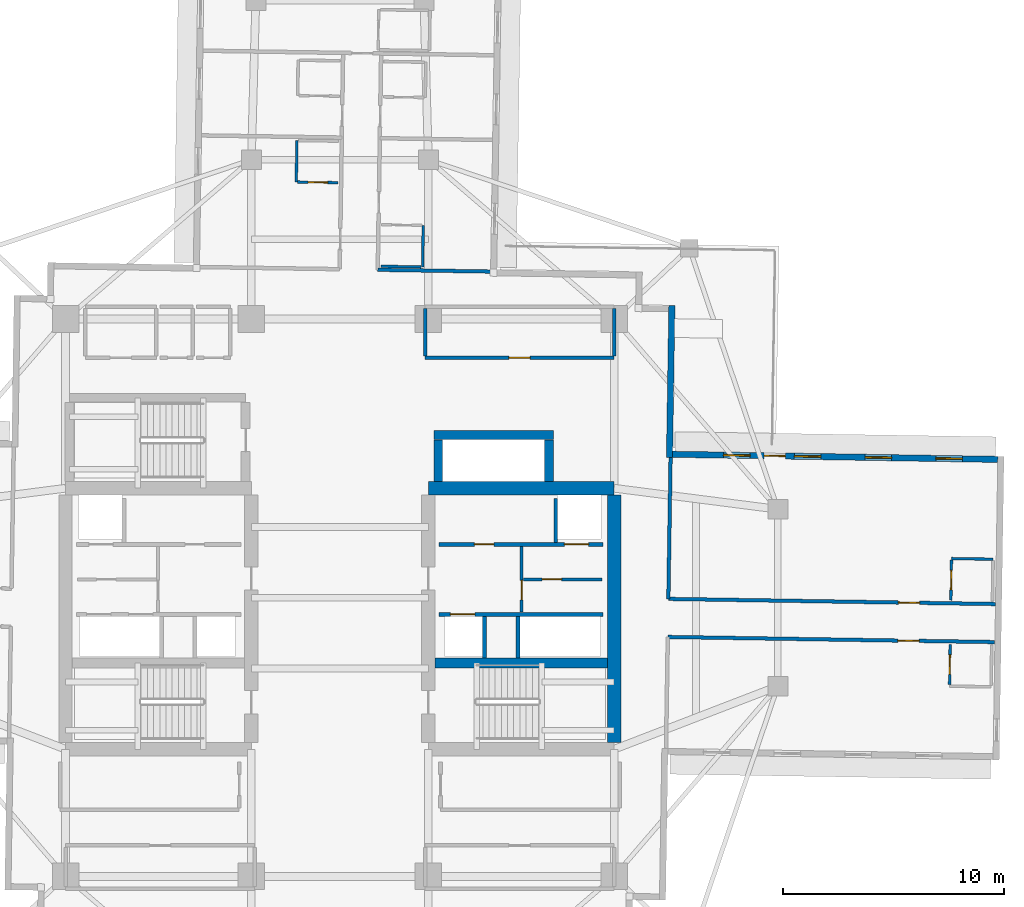
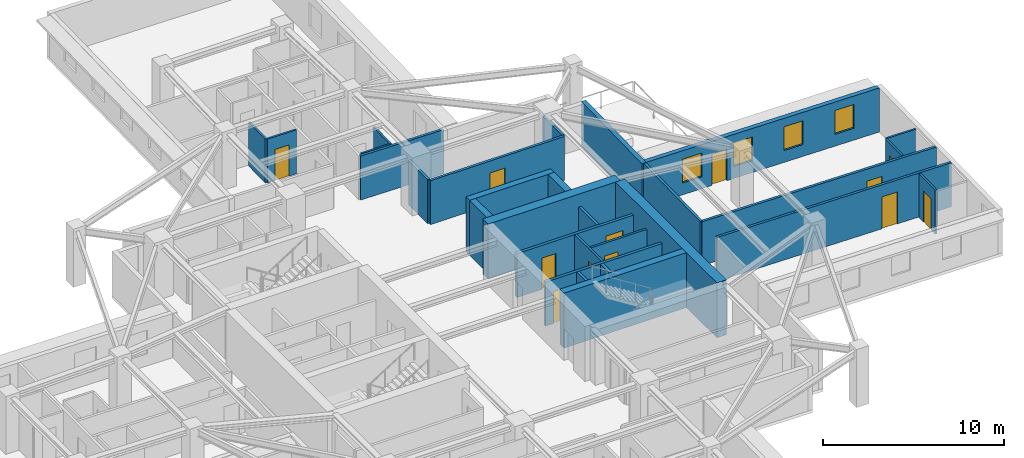
# One storey, part 6 of 13: 29 walls, 12 doors, 4 windows, 16 openings.
"""IFC4 building model written with IfcOpenShell, lengths in metres."""

from ifc_helpers import new_model, si_unit, direction, frame, frame_2d, origin, place, context, subcontext, project, spatial, rectangle, extrude, material, layer, layer_set, type_object, element, fill, save


model = new_model("IFC4")

# Units and contexts
model_context = context("Model", 3, precision=1e-05, world=origin(), true_north=direction((0.0, 1.0)))
body_context = subcontext(model_context, "Body", "Model", "MODEL_VIEW")
ifc_project = project(units=[si_unit("LENGTHUNIT", "METRE"), si_unit("AREAUNIT", "SQUARE_METRE"), si_unit("VOLUMEUNIT", "CUBIC_METRE"), si_unit("PLANEANGLEUNIT", "RADIAN"), si_unit("MASSUNIT", "GRAM", prefix="KILO")], contexts=[model_context])

# Site, building, storey
site_placement = place(None, origin())
site = spatial("IfcSite", under=ifc_project, at=site_placement, CompositionType="ELEMENT")
building_placement = place(site_placement, origin())
building = spatial("IfcBuilding", under=site, at=building_placement, Name="Qingluan Cross Belvedere", CompositionType="ELEMENT")
storey_placement = place(building_placement, frame((0.0, 0.0, 180.0)))
storey = spatial("IfcBuildingStorey", under=building, at=storey_placement, Name="L45", CompositionType="ELEMENT", Elevation=180.0)

# Walls
ifc_material_1 = material(Name="Concrete C50", Category="concrete")
ifc_layer_1 = layer(ifc_material_1, 0.449951171875, Name="CoreShearWall_450")
ifc_layer_set_1 = layer_set([ifc_layer_1], Name="Concrete C50")
wall_type_1 = type_object("IfcWallType", Name="CoreShearWall_450", PredefinedType="SHEAR", material=ifc_layer_set_1)
wall_1_placement = place(storey_placement, frame((4.304931640625, -2.9599609375, 0.0), z_axis=(0.0, 0.0, 1.0), x_axis=(1.0, 0.0, 0.0)))
element("IfcWall", 1, at=wall_1_placement, inside=storey, type_object=wall_type_1, Name="Split core E shear wall L45-M", PredefinedType="SHEAR", context=body_context, shape_type="SweptSolid", body=[
    extrude(rectangle(XDim=7.7900390625, YDim=0.449951171875, at=frame_2d((3.89501953125, 0.0))), origin(), (0.0, 0.0, 1.0), 3.699951171875),
])
wall_2_placement = place(storey_placement, frame((4.449951171875, 5.2548828125, 0.0), z_axis=(0.0, 0.0, 1.0), x_axis=(0.0, 1.0, 0.0)))
element("IfcWall", 2, at=wall_2_placement, inside=storey, type_object=wall_type_1, Name="Express shuttle core wall L45-W", PredefinedType="SHEAR", context=body_context, shape_type="SweptSolid", body=[
    extrude(rectangle(XDim=1.885009765625, YDim=0.39990234375, at=frame_2d((0.9423828125, 0.0))), origin(), (0.0, 0.0, 1.0), 3.699951171875),
])
wall_3_placement = place(storey_placement, frame((4.25, 7.35009765625, 0.0), z_axis=(0.0, 0.0, 1.0), x_axis=(1.0, 0.0, 0.0)))
element("IfcWall", 3, at=wall_3_placement, inside=storey, type_object=wall_type_1, Name="Express shuttle core wall L45-N", PredefinedType="SHEAR", context=body_context, shape_type="SweptSolid", body=[
    extrude(rectangle(XDim=5.39990234375, YDim=0.39990234375, at=frame_2d((2.699951171875, 0.0))), origin(), (0.0, 0.0, 1.0), 3.699951171875),
])
wall_4_placement = place(storey_placement, frame((9.449951171875, 5.2548828125, 0.0), z_axis=(0.0, 0.0, 1.0), x_axis=(0.0, 1.0, 0.0)))
element("IfcWall", 4, at=wall_4_placement, inside=storey, type_object=wall_type_1, Name="Express shuttle core wall L45-E", PredefinedType="SHEAR", context=body_context, shape_type="SweptSolid", body=[
    extrude(rectangle(XDim=1.885009765625, YDim=0.39990234375, at=frame_2d((0.9423828125, 0.0))), origin(), (0.0, 0.0, 1.0), 3.699951171875),
])
ifc_material_2 = material(Name="Concrete C60", Category="concrete")
ifc_layer_2 = layer(ifc_material_2, 0.60009765625, Name="CoreShearWall_600")
ifc_layer_set_2 = layer_set([ifc_layer_2], Name="Concrete C60")
wall_type_2 = type_object("IfcWallType", Name="CoreShearWall_600", PredefinedType="SHEAR", material=ifc_layer_set_2)
wall_5_placement = place(storey_placement, frame((4.0, 4.949951171875, 0.0), z_axis=(0.0, 0.0, 1.0), x_axis=(1.0, 0.0, 0.0)))
element("IfcWall", 5, at=wall_5_placement, inside=storey, type_object=wall_type_2, Name="Split core E shear wall L45-N", PredefinedType="SHEAR", context=body_context, shape_type="SweptSolid", body=[
    extrude(rectangle(XDim=8.39990234375, YDim=0.60009765625, at=frame_2d((4.199951171875, 0.0))), origin(), (0.0, 0.0, 1.0), 3.699951171875),
])
wall_6_placement = place(storey_placement, frame((12.39990234375, -6.544921875, 0.0), z_axis=(0.0, 0.0, 1.0), x_axis=(0.0, 1.0, 0.0)))
element("IfcWall", 6, at=wall_6_placement, inside=storey, type_object=wall_type_2, Name="Split core E shear wall L45-E", PredefinedType="SHEAR", context=body_context, shape_type="SweptSolid", body=[
    extrude(rectangle(XDim=11.18994140625, YDim=0.60009765625, at=frame_2d((5.594970703125, 0.0))), origin(), (0.0, 0.0, 1.0), 3.699951171875),
])

# Wall, opening, door
ifc_material_3 = material(Name="Gypsum plasterboard on steel stud acoustic partition", Category="steel")
ifc_layer_3 = layer(ifc_material_3, 0.159912109375, Name="CorridorPartition_160")
ifc_layer_set_3 = layer_set([ifc_layer_3], Name="Gypsum plasterboard on steel stud acoustic partition")
wall_type_3 = type_object("IfcWallType", Name="CorridorPartition_160", PredefinedType="PARTITIONING", material=ifc_layer_set_3)
wall_7_placement = place(storey_placement, frame((8.298095703125, 0.830078125, 0.0), z_axis=(0.0, 0.0, 1.0), x_axis=(1.0, 0.0, 0.0)))
wall_7 = element("IfcWall", 7, at=wall_7_placement, inside=storey, type_object=wall_type_3, Name="Partition L45:e", PredefinedType="PARTITIONING", context=body_context, shape_type="SweptSolid", body=[
    extrude(rectangle(XDim=3.552001953125, YDim=0.139892578125, at=frame_2d((1.77587890625, 0.0))), origin(), (0.0, 0.0, 1.0), 2.9599609375),
])
opening_1_placement = place(wall_7_placement, frame((0.85009765625, 0.0, 0.0)))
opening_1 = element("IfcOpeningElement", 8, at=opening_1_placement, cuts=wall_7, Name="Opening FD-B10", PredefinedType="OPENING", context=body_context, shape_type="SweptSolid", body=[
    extrude(rectangle(XDim=0.8798828125, YDim=2.10009765625, at=frame_2d((0.43994140625, 1.050048828125))), frame((0.0, 0.079833984375, 0.0), z_axis=(0.0, -1.0, 0.0), x_axis=(1.0, 0.0, 0.0)), (0.0, 0.0, 1.0), 0.159912109375),
])
ifc_material_4 = material(Name="Steel Class B service fire door", Category="steel")
door_type_1 = type_object("IfcDoorType", Name="RiserServiceFireDoor_FDB", OperationType="NOTDEFINED", PredefinedType="DOOR", material=ifc_material_4)
door_1_placement = place(opening_1_placement, origin())
door_1 = element("IfcDoor", 9, at=door_1_placement, inside=storey, type_object=door_type_1, Name="Service closet inner door L45", OperationType="SINGLE_SWING_LEFT", OverallHeight=2.10009765625, OverallWidth=0.8798828125, PredefinedType="DOOR", context=body_context, shape_type="SweptSolid", body=[
    extrude(rectangle(XDim=0.8798828125, YDim=2.10009765625, at=frame_2d((0.43994140625, 1.050048828125))), frame((0.0, 0.02490234375, 0.0), z_axis=(0.0, -1.0, 0.0), x_axis=(1.0, 0.0, 0.0)), (0.0, 0.0, 1.0), 0.050048828125),
])
fill(opening_1, door_1)

wall_8_placement = place(storey_placement, frame((3.85009765625, 10.85009765625, 0.0), z_axis=(0.0, 0.0, 1.0), x_axis=(1.0, 0.0, 0.0)))
wall_8 = element("IfcWall", 10, at=wall_8_placement, inside=storey, type_object=wall_type_3, Name="Partition L45:q_ne:S", PredefinedType="PARTITIONING", context=body_context, shape_type="SweptSolid", body=[
    extrude(rectangle(XDim=8.5498046875, YDim=0.159912109375, at=frame_2d((4.27490234375, 0.0))), origin(), (0.0, 0.0, 1.0), 2.9599609375),
])
opening_2_placement = place(wall_8_placement, frame((3.794921875, 0.0, 0.0)))
opening_2 = element("IfcOpeningElement", 11, at=opening_2_placement, cuts=wall_8, Name="Opening GD-10", PredefinedType="OPENING", context=body_context, shape_type="SweptSolid", body=[
    extrude(rectangle(XDim=0.9599609375, YDim=2.14990234375, at=frame_2d((0.47998046875, 1.074951171875))), frame((0.0, 0.08984375, 0.0), z_axis=(0.0, -1.0, 0.0), x_axis=(1.0, 0.0, 0.0)), (0.0, 0.0, 1.0), 0.179931640625),
])
ifc_material_5 = material(Name="Timber oak fire-rated acoustic guestroom door", Category="wood")
door_type_2 = type_object("IfcDoorType", Name="GuestEntryDoor_FD60", OperationType="NOTDEFINED", PredefinedType="DOOR", material=ifc_material_5)
door_2_placement = place(opening_2_placement, origin())
door_2 = element("IfcDoor", 12, at=door_2_placement, inside=storey, type_object=door_type_2, Name="VIP diplomatic boardroom L45 door", OperationType="SINGLE_SWING_LEFT", OverallHeight=2.14990234375, OverallWidth=0.9599609375, PredefinedType="DOOR", context=body_context, shape_type="SweptSolid", body=[
    extrude(rectangle(XDim=0.9599609375, YDim=2.14990234375, at=frame_2d((0.47998046875, 1.074951171875))), frame((0.0, 0.02490234375, 0.0), z_axis=(0.0, -1.0, 0.0), x_axis=(1.0, 0.0, 0.0)), (0.0, 0.0, 1.0), 0.050048828125),
])
fill(opening_2, door_2)

# Walls
for number, where, z_axis, x_axis, name in (
    (13, (3.85009765625, 10.93505859375, 0.0), (0.0, 0.0, 1.0), (0.0, 1.0, 0.0), "Partition L45:q_ne:W"),
    (14, (12.39990234375, 10.93505859375, 0.0), (0.0, 0.0, 1.0), (0.0, 1.0, 0.0), "Partition L45:q_ne:E"),
):
    element("IfcWall", number, at=place(storey_placement, frame(where, z_axis=z_axis, x_axis=x_axis)), inside=storey, type_object=wall_type_3, Name=name, PredefinedType="PARTITIONING", context=body_context, shape_type="SweptSolid", body=[
        extrude(rectangle(XDim=2.1298828125, YDim=0.159912109375, at=frame_2d((1.06494140625, 0.0))), origin(), (0.0, 0.0, 1.0), 2.9599609375),
    ])

# Wall, opening, door
wall_9_placement = place(storey_placement, frame((14.85107421875, -0.05322265625, 0.0), z_axis=(0.0, 0.0, 1.0), x_axis=(0.999876638346, -0.015706944004, 0.0)))
wall_9 = element("IfcWall", 15, at=wall_9_placement, inside=storey, type_object=wall_type_3, Name="Partition L45:E:c0", PredefinedType="PARTITIONING", context=body_context, shape_type="SweptSolid", body=[
    extrude(rectangle(XDim=14.78173828125, YDim=0.159912109375, at=frame_2d((7.390869140625, 0.0))), origin(), (0.0, 0.0, 1.0), 2.9599609375),
])
opening_3_placement = place(wall_9_placement, frame((10.404052734375, 0.0, 0.0)))
opening_3 = element("IfcOpeningElement", 16, at=opening_3_placement, cuts=wall_9, Name="Opening GD-10", PredefinedType="OPENING", context=body_context, shape_type="SweptSolid", body=[
    extrude(rectangle(XDim=0.9599609375, YDim=2.14990234375, at=frame_2d((0.47998046875, 1.074951171875))), frame((0.0, 0.08984375, 0.0), z_axis=(0.0, -1.0, 0.0), x_axis=(1.0, 0.0, 0.0)), (0.0, 0.0, 1.0), 0.179931640625),
])
door_3_placement = place(opening_3_placement, origin())
door_3 = element("IfcDoor", 17, at=door_3_placement, inside=storey, type_object=door_type_2, Name="Guest entry fire door 4501", OperationType="SINGLE_SWING_RIGHT", OverallHeight=2.14990234375, OverallWidth=0.9599609375, PredefinedType="DOOR", context=body_context, shape_type="SweptSolid", body=[
    extrude(rectangle(XDim=0.9599609375, YDim=2.14990234375, at=frame_2d((0.47998046875, 1.074951171875))), frame((0.0, 0.02490234375, 0.0), z_axis=(0.0, -1.0, 0.0), x_axis=(1.0, 0.0, 0.0)), (0.0, 0.0, 1.0), 0.050048828125),
])
fill(opening_3, door_3)

# Wall
wall_10_placement = place(storey_placement, frame((14.85107421875, -0.05322265625, 0.0), z_axis=(0.0, 0.0, 1.0), x_axis=(0.015698271615, 0.999876774542, 0.0)))
element("IfcWall", 18, at=wall_10_placement, inside=storey, type_object=wall_type_3, Name="Partition L45:E:s0", PredefinedType="PARTITIONING", context=body_context, shape_type="SweptSolid", body=[
    extrude(rectangle(XDim=6.391845703125, YDim=0.159912109375, at=frame_2d((3.19580078125, 0.0))), origin(), (0.0, 0.0, 1.0), 2.9599609375),
])

# Wall, opening, door
wall_11_placement = place(storey_placement, frame((14.823974609375, -1.773193359375, 0.0), z_axis=(0.0, 0.0, 1.0), x_axis=(0.999876642421, -0.015706684621, 0.0)))
wall_11 = element("IfcWall", 19, at=wall_11_placement, inside=storey, type_object=wall_type_3, Name="Partition L45:E:c1", PredefinedType="PARTITIONING", context=body_context, shape_type="SweptSolid", body=[
    extrude(rectangle(XDim=14.781982421875, YDim=0.159912109375, at=frame_2d((7.39111328125, 0.0))), origin(), (0.0, 0.0, 1.0), 2.9599609375),
])
opening_4_placement = place(wall_11_placement, frame((10.404052734375, 0.0, 0.0)))
opening_4 = element("IfcOpeningElement", 20, at=opening_4_placement, cuts=wall_11, Name="Opening GD-10", PredefinedType="OPENING", context=body_context, shape_type="SweptSolid", body=[
    extrude(rectangle(XDim=0.9599609375, YDim=2.14990234375, at=frame_2d((0.47998046875, 1.074951171875))), frame((0.0, 0.08984375, 0.0), z_axis=(0.0, -1.0, 0.0), x_axis=(1.0, 0.0, 0.0)), (0.0, 0.0, 1.0), 0.179931640625),
])
door_4_placement = place(opening_4_placement, origin())
door_4 = element("IfcDoor", 21, at=door_4_placement, inside=storey, type_object=door_type_2, Name="Guest entry fire door 4502", OperationType="SINGLE_SWING_RIGHT", OverallHeight=2.14990234375, OverallWidth=0.9599609375, PredefinedType="DOOR", context=body_context, shape_type="SweptSolid", body=[
    extrude(rectangle(XDim=0.9599609375, YDim=2.14990234375, at=frame_2d((0.47998046875, 1.074951171875))), frame((0.0, 0.02490234375, 0.0), z_axis=(0.0, -1.0, 0.0), x_axis=(1.0, 0.0, 0.0)), (0.0, 0.0, 1.0), 0.050048828125),
])
fill(opening_4, door_4)

# Wall
wall_12_placement = place(storey_placement, frame((1.713134765625, 14.824951171875, 0.0), z_axis=(0.0, 0.0, 1.0), x_axis=(0.99987672073, -0.015701698737, 0.0)))
element("IfcWall", 22, at=wall_12_placement, inside=storey, type_object=wall_type_3, Name="Partition L45:N:s0", PredefinedType="PARTITIONING", context=body_context, shape_type="SweptSolid", body=[
    extrude(rectangle(XDim=5.239990234375, YDim=0.159912109375, at=frame_2d((2.6201171875, 0.0))), origin(), (0.0, 0.0, 1.0), 2.9599609375),
])

# Wall, opening, door
ifc_material_6 = material(Name="Moisture-resistant gypsum board lining")
ifc_layer_4 = layer(ifc_material_6, 0.1201171875, Name="EnsuiteWetPartition_120")
ifc_layer_set_4 = layer_set([ifc_layer_4], Name="Moisture-resistant gypsum board lining")
wall_type_4 = type_object("IfcWallType", Name="EnsuiteWetPartition_120", PredefinedType="PARTITIONING", material=ifc_layer_set_4)
wall_13_placement = place(storey_placement, frame((27.62158203125, -0.114013671875, 0.0), z_axis=(0.0, 0.0, 1.0), x_axis=(0.015694337248, 0.999876836305, 0.0)))
wall_13 = element("IfcWall", 23, at=wall_13_placement, inside=storey, type_object=wall_type_4, Name="Partition L45:E:bs0_0", PredefinedType="PARTITIONING", context=body_context, shape_type="SweptSolid", body=[
    extrude(rectangle(XDim=1.820068359375, YDim=0.1201171875, at=frame_2d((0.91015625, 0.0))), origin(), (0.0, 0.0, 1.0), 2.9599609375),
])
opening_5_placement = place(wall_13_placement, frame((0.469970703125, 0.0, 0.0)))
opening_5 = element("IfcOpeningElement", 24, at=opening_5_placement, cuts=wall_13, Name="Opening BD-09", PredefinedType="OPENING", context=body_context, shape_type="SweptSolid", body=[
    extrude(rectangle(XDim=0.8798828125, YDim=2.10009765625, at=frame_2d((0.43994140625, 1.050048828125))), frame((0.0, 0.070068359375, 0.0), z_axis=(0.0, -1.0, 0.0), x_axis=(1.0, 0.0, 0.0)), (0.0, 0.0, 1.0), 0.14013671875),
])
ifc_material_7 = material(Name="Moisture-sealed timber en-suite door", Category="wood")
door_type_3 = type_object("IfcDoorType", Name="BathroomDoor_880", OperationType="NOTDEFINED", PredefinedType="DOOR", material=ifc_material_7)
door_5_placement = place(opening_5_placement, origin())
door_5 = element("IfcDoor", 25, at=door_5_placement, inside=storey, type_object=door_type_3, Name="Bathroom door 4501", OperationType="SINGLE_SWING_LEFT", OverallHeight=2.10009765625, OverallWidth=0.8798828125, PredefinedType="DOOR", context=body_context, shape_type="SweptSolid", body=[
    extrude(rectangle(XDim=0.8798828125, YDim=2.10009765625, at=frame_2d((0.43994140625, 1.050048828125))), frame((0.0, 0.02490234375, 0.0), z_axis=(0.0, -1.0, 0.0), x_axis=(1.0, 0.0, 0.0)), (0.0, 0.0, 1.0), 0.050048828125),
])
fill(opening_5, door_5)

# Wall
wall_14_placement = place(storey_placement, frame((27.651123046875, 1.77099609375, 0.0), z_axis=(0.0, 0.0, 1.0), x_axis=(0.999876553475, -0.01571234584, 0.0)))
element("IfcWall", 26, at=wall_14_placement, inside=storey, type_object=wall_type_4, Name="Partition L45:E:bn0_0", PredefinedType="PARTITIONING", context=body_context, shape_type="SweptSolid", body=[
    extrude(rectangle(XDim=1.880126953125, YDim=0.1201171875, at=frame_2d((0.93994140625, 0.0))), origin(), (0.0, 0.0, 1.0), 2.9599609375),
])

# Wall, opening, door
wall_15_placement = place(storey_placement, frame((27.5615234375, -3.933349609375, 0.0), z_axis=(0.0, 0.0, 1.0), x_axis=(0.015694337248, 0.999876836305, 0.0)))
wall_15 = element("IfcWall", 27, at=wall_15_placement, inside=storey, type_object=wall_type_4, Name="Partition L45:E:bs1_0", PredefinedType="PARTITIONING", context=body_context, shape_type="SweptSolid", body=[
    extrude(rectangle(XDim=1.820068359375, YDim=0.1201171875, at=frame_2d((0.91015625, 0.0))), origin(), (0.0, 0.0, 1.0), 2.9599609375),
])
opening_6_placement = place(wall_15_placement, frame((0.469970703125, 0.0, 0.0)))
opening_6 = element("IfcOpeningElement", 28, at=opening_6_placement, cuts=wall_15, Name="Opening BD-09", PredefinedType="OPENING", context=body_context, shape_type="SweptSolid", body=[
    extrude(rectangle(XDim=0.8798828125, YDim=2.10009765625, at=frame_2d((0.43994140625, 1.050048828125))), frame((0.0, 0.070068359375, 0.0), z_axis=(0.0, -1.0, 0.0), x_axis=(1.0, 0.0, 0.0)), (0.0, 0.0, 1.0), 0.14013671875),
])
door_6_placement = place(opening_6_placement, origin())
door_6 = element("IfcDoor", 29, at=door_6_placement, inside=storey, type_object=door_type_3, Name="Bathroom door 4502", OperationType="SINGLE_SWING_LEFT", OverallHeight=2.10009765625, OverallWidth=0.8798828125, PredefinedType="DOOR", context=body_context, shape_type="SweptSolid", body=[
    extrude(rectangle(XDim=0.8798828125, YDim=2.10009765625, at=frame_2d((0.43994140625, 1.050048828125))), frame((0.0, 0.02490234375, 0.0), z_axis=(0.0, -1.0, 0.0), x_axis=(1.0, 0.0, 0.0)), (0.0, 0.0, 1.0), 0.050048828125),
])
fill(opening_6, door_6)

# Walls
wall_16_placement = place(storey_placement, frame((1.855712890625, 14.982666015625, 0.0), z_axis=(0.0, 0.0, 1.0), x_axis=(0.999876803258, -0.015696442504, 0.0)))
element("IfcWall", 30, at=wall_16_placement, inside=storey, type_object=wall_type_4, Name="Partition L45:N:bw0_0", PredefinedType="PARTITIONING", context=body_context, shape_type="SweptSolid", body=[
    extrude(rectangle(XDim=1.81982421875, YDim=0.1201171875, at=frame_2d((0.909912109375, 0.0))), origin(), (0.0, 0.0, 1.0), 2.9599609375),
])
wall_17_placement = place(storey_placement, frame((3.740234375, 14.953125, 0.0), z_axis=(0.0, 0.0, 1.0), x_axis=(0.015842167482, 0.99987450499, 0.0)))
element("IfcWall", 31, at=wall_17_placement, inside=storey, type_object=wall_type_4, Name="Partition L45:N:bn0_0", PredefinedType="PARTITIONING", context=body_context, shape_type="SweptSolid", body=[
    extrude(rectangle(XDim=1.880126953125, YDim=0.1201171875, at=frame_2d((0.93994140625, 0.0))), origin(), (0.0, 0.0, 1.0), 2.9599609375),
])

# Wall, opening, door
wall_18_placement = place(storey_placement, frame((-1.905029296875, 18.792236328125, 0.0), z_axis=(0.0, 0.0, 1.0), x_axis=(0.999876836305, -0.015694337248, 0.0)))
wall_18 = element("IfcWall", 32, at=wall_18_placement, inside=storey, type_object=wall_type_4, Name="Partition L45:N:bs1_0", PredefinedType="PARTITIONING", context=body_context, shape_type="SweptSolid", body=[
    extrude(rectangle(XDim=1.820068359375, YDim=0.1201171875, at=frame_2d((0.91015625, 0.0))), origin(), (0.0, 0.0, 1.0), 2.9599609375),
])
opening_7_placement = place(wall_18_placement, frame((0.469970703125, 0.0, 0.0)))
opening_7 = element("IfcOpeningElement", 33, at=opening_7_placement, cuts=wall_18, Name="Opening BD-09", PredefinedType="OPENING", context=body_context, shape_type="SweptSolid", body=[
    extrude(rectangle(XDim=0.8798828125, YDim=2.10009765625, at=frame_2d((0.43994140625, 1.050048828125))), frame((0.0, 0.070068359375, 0.0), z_axis=(0.0, -1.0, 0.0), x_axis=(1.0, 0.0, 0.0)), (0.0, 0.0, 1.0), 0.14013671875),
])
door_7_placement = place(opening_7_placement, origin())
door_7 = element("IfcDoor", 34, at=door_7_placement, inside=storey, type_object=door_type_3, Name="Bathroom door 4507", OperationType="SINGLE_SWING_LEFT", OverallHeight=2.10009765625, OverallWidth=0.8798828125, PredefinedType="DOOR", context=body_context, shape_type="SweptSolid", body=[
    extrude(rectangle(XDim=0.8798828125, YDim=2.10009765625, at=frame_2d((0.43994140625, 1.050048828125))), frame((0.0, 0.02490234375, 0.0), z_axis=(0.0, -1.0, 0.0), x_axis=(1.0, 0.0, 0.0)), (0.0, 0.0, 1.0), 0.050048828125),
])
fill(opening_7, door_7)

# Wall
wall_19_placement = place(storey_placement, frame((-1.97021484375, 18.793212890625, 0.0), z_axis=(0.0, 0.0, 1.0), x_axis=(0.015842167482, 0.99987450499, 0.0)))
element("IfcWall", 35, at=wall_19_placement, inside=storey, type_object=wall_type_4, Name="Partition L45:N:bc1_0", PredefinedType="PARTITIONING", context=body_context, shape_type="SweptSolid", body=[
    extrude(rectangle(XDim=1.880126953125, YDim=0.1201171875, at=frame_2d((0.93994140625, 0.0))), origin(), (0.0, 0.0, 1.0), 2.9599609375),
])

# Wall, openings, windows, door
ifc_material_8 = material(Name="Precast concrete C45", Category="concrete")
ifc_layer_5 = layer(ifc_material_8, 0.280029296875, Name="PrecastFacadeWall_280")
ifc_layer_set_5 = layer_set([ifc_layer_5], Name="Precast concrete C45")
wall_type_5 = type_object("IfcWallType", Name="PrecastFacadeWall_280", PredefinedType="STANDARD", material=ifc_layer_set_5)
wall_20_placement = place(storey_placement, frame((29.741943359375, 6.253662109375, 0.0), z_axis=(0.0, 0.0, 1.0), x_axis=(-0.999876569875, 0.015711302158, 0.0)))
wall_20 = element("IfcWall", 36, at=wall_20_placement, inside=storey, type_object=wall_type_5, Name="Facade wall L45-EB", PredefinedType="STANDARD", context=body_context, shape_type="SweptSolid", body=[
    extrude(rectangle(XDim=14.699951171875, YDim=0.280029296875, at=frame_2d((7.35009765625, 0.0))), origin(), (0.0, 0.0, 1.0), 2.969970703125),
])
opening_8_placement = place(wall_20_placement, frame((1.60009765625, 0.0, 0.800048828125)))
opening_8 = element("IfcOpeningElement", 37, at=opening_8_placement, cuts=wall_20, Name="Opening W-02", PredefinedType="OPENING", context=body_context, shape_type="SweptSolid", body=[
    extrude(rectangle(XDim=1.199951171875, YDim=1.60009765625, at=frame_2d((0.60009765625, 0.800048828125))), frame((0.0, 0.14990234375, 0.0), z_axis=(0.0, -1.0, 0.0), x_axis=(1.0, 0.0, 0.0)), (0.0, 0.0, 1.0), 0.300048828125),
])
opening_9_placement = place(wall_20_placement, frame((4.800048828125, 0.0, 0.800048828125)))
opening_9 = element("IfcOpeningElement", 38, at=opening_9_placement, cuts=wall_20, Name="Opening W-02", PredefinedType="OPENING", context=body_context, shape_type="SweptSolid", body=[
    extrude(rectangle(XDim=1.199951171875, YDim=1.60009765625, at=frame_2d((0.60009765625, 0.800048828125))), frame((0.0, 0.14990234375, 0.0), z_axis=(0.0, -1.0, 0.0), x_axis=(1.0, 0.0, 0.0)), (0.0, 0.0, 1.0), 0.300048828125),
])
opening_10_placement = place(wall_20_placement, frame((8.0, 0.0, 0.800048828125)))
opening_10 = element("IfcOpeningElement", 39, at=opening_10_placement, cuts=wall_20, Name="Opening W-02", PredefinedType="OPENING", context=body_context, shape_type="SweptSolid", body=[
    extrude(rectangle(XDim=1.199951171875, YDim=1.60009765625, at=frame_2d((0.60009765625, 0.800048828125))), frame((0.0, 0.14990234375, 0.0), z_axis=(0.0, -1.0, 0.0), x_axis=(1.0, 0.0, 0.0)), (0.0, 0.0, 1.0), 0.300048828125),
])
opening_11_placement = place(wall_20_placement, frame((11.199951171875, 0.0, 0.800048828125)))
opening_11 = element("IfcOpeningElement", 40, at=opening_11_placement, cuts=wall_20, Name="Opening W-02", PredefinedType="OPENING", context=body_context, shape_type="SweptSolid", body=[
    extrude(rectangle(XDim=1.199951171875, YDim=1.60009765625, at=frame_2d((0.60009765625, 0.800048828125))), frame((0.0, 0.14990234375, 0.0), z_axis=(0.0, -1.0, 0.0), x_axis=(1.0, 0.0, 0.0)), (0.0, 0.0, 1.0), 0.300048828125),
])
opening_12_placement = place(wall_20_placement, frame((9.60009765625, 0.0, 0.0)))
opening_12 = element("IfcOpeningElement", 41, at=opening_12_placement, cuts=wall_20, Name="Opening WD-10", PredefinedType="OPENING", context=body_context, shape_type="SweptSolid", body=[
    extrude(rectangle(XDim=0.9599609375, YDim=2.10009765625, at=frame_2d((0.47998046875, 1.050048828125))), frame((0.0, 0.14990234375, 0.0), z_axis=(0.0, -1.0, 0.0), x_axis=(1.0, 0.0, 0.0)), (0.0, 0.0, 1.0), 0.300048828125),
])
ifc_material_9 = material(Name="Thermally broken triple Low-E glass in aluminium frame", Category="aluminium")
window_type = type_object("IfcWindowType", Name="TriRibbonWin_1200x1600", PartitioningType="SINGLE_PANEL", PredefinedType="WINDOW", material=ifc_material_9)
window_1_placement = place(opening_8_placement, origin())
window_1 = element("IfcWindow", 42, at=window_1_placement, inside=storey, type_object=window_type, Name="Ribbon window L45-EB-1", OverallHeight=1.60009765625, OverallWidth=1.199951171875, PartitioningType="SINGLE_PANEL", PredefinedType="WINDOW", context=body_context, shape_type="SweptSolid", body=[
    extrude(rectangle(XDim=1.199951171875, YDim=1.60009765625, at=frame_2d((0.60009765625, 0.800048828125))), frame((0.0, 0.030029296875, 0.0), z_axis=(0.0, -1.0, 0.0), x_axis=(1.0, 0.0, 0.0)), (0.0, 0.0, 1.0), 0.06005859375),
])
fill(opening_8, window_1)
window_2_placement = place(opening_9_placement, origin())
window_2 = element("IfcWindow", 43, at=window_2_placement, inside=storey, type_object=window_type, Name="Ribbon window L45-EB-2", OverallHeight=1.60009765625, OverallWidth=1.199951171875, PartitioningType="SINGLE_PANEL", PredefinedType="WINDOW", context=body_context, shape_type="SweptSolid", body=[
    extrude(rectangle(XDim=1.199951171875, YDim=1.60009765625, at=frame_2d((0.60009765625, 0.800048828125))), frame((0.0, 0.030029296875, 0.0), z_axis=(0.0, -1.0, 0.0), x_axis=(1.0, 0.0, 0.0)), (0.0, 0.0, 1.0), 0.06005859375),
])
fill(opening_9, window_2)
window_3_placement = place(opening_10_placement, origin())
window_3 = element("IfcWindow", 44, at=window_3_placement, inside=storey, type_object=window_type, Name="Ribbon window L45-EB-3", OverallHeight=1.60009765625, OverallWidth=1.199951171875, PartitioningType="SINGLE_PANEL", PredefinedType="WINDOW", context=body_context, shape_type="SweptSolid", body=[
    extrude(rectangle(XDim=1.199951171875, YDim=1.60009765625, at=frame_2d((0.60009765625, 0.800048828125))), frame((0.0, 0.030029296875, 0.0), z_axis=(0.0, -1.0, 0.0), x_axis=(1.0, 0.0, 0.0)), (0.0, 0.0, 1.0), 0.06005859375),
])
fill(opening_10, window_3)
window_4_placement = place(opening_11_placement, origin())
window_4 = element("IfcWindow", 45, at=window_4_placement, inside=storey, type_object=window_type, Name="Ribbon window L45-EB-4", OverallHeight=1.60009765625, OverallWidth=1.199951171875, PartitioningType="SINGLE_PANEL", PredefinedType="WINDOW", context=body_context, shape_type="SweptSolid", body=[
    extrude(rectangle(XDim=1.199951171875, YDim=1.60009765625, at=frame_2d((0.60009765625, 0.800048828125))), frame((0.0, 0.030029296875, 0.0), z_axis=(0.0, -1.0, 0.0), x_axis=(1.0, 0.0, 0.0)), (0.0, 0.0, 1.0), 0.06005859375),
])
fill(opening_11, window_4)
ifc_material_10 = material(Name="Thermally broken aluminium and Low-E glass", Category="aluminium")
door_type_4 = type_object("IfcDoorType", Name="WinterGardenDoor_096", OperationType="NOTDEFINED", PredefinedType="DOOR", material=ifc_material_10)
door_8_placement = place(opening_12_placement, origin())
door_8 = element("IfcDoor", 46, at=door_8_placement, inside=storey, type_object=door_type_4, Name="Outdoor terrace access door L45-spi", OperationType="SINGLE_SWING_RIGHT", OverallHeight=2.10009765625, OverallWidth=0.9599609375, PredefinedType="DOOR", context=body_context, shape_type="SweptSolid", body=[
    extrude(rectangle(XDim=0.9599609375, YDim=2.10009765625, at=frame_2d((0.47998046875, 1.050048828125))), frame((0.0, 0.02490234375, 0.0), z_axis=(0.0, -1.0, 0.0), x_axis=(1.0, 0.0, 0.0)), (0.0, 0.0, 1.0), 0.050048828125),
])
fill(opening_12, door_8)

# Wall
wall_21_placement = place(storey_placement, frame((14.901611328125, 6.3466796875, 0.0), z_axis=(0.0, 0.0, 1.0), x_axis=(0.015694809807, 0.999876828887, 0.0)))
element("IfcWall", 47, at=wall_21_placement, inside=storey, type_object=wall_type_5, Name="Corner wall L45-NE1", PredefinedType="STANDARD", context=body_context, shape_type="SweptSolid", body=[
    extrude(rectangle(XDim=6.85986328125, YDim=0.280029296875, at=frame_2d((3.429931640625, 0.0))), origin(), (0.0, 0.0, 1.0), 2.969970703125),
])

# Wall, openings, doors
ifc_material_11 = material(Name="Concrete C40", Category="concrete")
ifc_layer_6 = layer(ifc_material_11, 0.219970703125, Name="ShaftEnclosureWall_250")
ifc_layer_set_6 = layer_set([ifc_layer_6], Name="Concrete C40")
wall_type_6 = type_object("IfcWallType", Name="ShaftEnclosureWall_250", PredefinedType="SOLIDWALL", material=ifc_layer_set_6)
wall_22_placement = place(storey_placement, frame((4.47998046875, 2.409912109375, 0.0), z_axis=(0.0, 0.0, 1.0), x_axis=(1.0, 0.0, 0.0)))
wall_22 = element("IfcWall", 48, at=wall_22_placement, inside=storey, type_object=wall_type_6, Name="Core-E north hoistway wall L45", PredefinedType="SOLIDWALL", context=body_context, shape_type="SweptSolid", body=[
    extrude(rectangle(XDim=7.419921875, YDim=0.179931640625, at=frame_2d((3.7099609375, 0.0))), origin(), (0.0, 0.0, 1.0), 2.9599609375),
])
opening_13_placement = place(wall_22_placement, frame((5.669921875, 0.0, 0.0)))
opening_13 = element("IfcOpeningElement", 49, at=opening_13_placement, cuts=wall_22, Name="Opening LD-11", PredefinedType="OPENING", context=body_context, shape_type="SweptSolid", body=[
    extrude(rectangle(XDim=1.10009765625, YDim=2.14990234375, at=frame_2d((0.550048828125, 1.074951171875))), frame((0.0, 0.099853515625, 0.0), z_axis=(0.0, -1.0, 0.0), x_axis=(1.0, 0.0, 0.0)), (0.0, 0.0, 1.0), 0.199951171875),
])
opening_14_placement = place(wall_22_placement, frame((1.60009765625, 0.0, 0.0)))
opening_14 = element("IfcOpeningElement", 50, at=opening_14_placement, cuts=wall_22, Name="Opening FD-B10", PredefinedType="OPENING", context=body_context, shape_type="SweptSolid", body=[
    extrude(rectangle(XDim=0.8798828125, YDim=2.10009765625, at=frame_2d((0.43994140625, 1.050048828125))), frame((0.0, 0.099853515625, 0.0), z_axis=(0.0, -1.0, 0.0), x_axis=(1.0, 0.0, 0.0)), (0.0, 0.0, 1.0), 0.199951171875),
])
ifc_material_12 = material(Name="Brushed stainless steel centre-opening lift landing door", Category="steel")
door_type_5 = type_object("IfcDoorType", Name="LiftLandingSlidingDoor_1100", OperationType="DOUBLE_DOOR_SLIDING", PredefinedType="DOOR", material=ifc_material_12)
door_9_placement = place(opening_13_placement, origin())
door_9 = element("IfcDoor", 51, at=door_9_placement, inside=storey, type_object=door_type_5, Name="Lift landing sliding door FL2 L45", OperationType="DOUBLE_DOOR_SLIDING", OverallHeight=2.14990234375, OverallWidth=1.10009765625, PredefinedType="DOOR", context=body_context, shape_type="SweptSolid", body=[
    extrude(rectangle(XDim=1.10009765625, YDim=2.14990234375, at=frame_2d((0.550048828125, 1.074951171875))), frame((0.0, 0.02490234375, 0.0), z_axis=(0.0, -1.0, 0.0), x_axis=(1.0, 0.0, 0.0)), (0.0, 0.0, 1.0), 0.050048828125),
])
fill(opening_13, door_9)
door_10_placement = place(opening_14_placement, origin())
door_10 = element("IfcDoor", 52, at=door_10_placement, inside=storey, type_object=door_type_1, Name="Pantry room door E L45", OperationType="SINGLE_SWING_LEFT", OverallHeight=2.10009765625, OverallWidth=0.8798828125, PredefinedType="DOOR", context=body_context, shape_type="SweptSolid", body=[
    extrude(rectangle(XDim=0.8798828125, YDim=2.10009765625, at=frame_2d((0.43994140625, 1.050048828125))), frame((0.0, 0.02490234375, 0.0), z_axis=(0.0, -1.0, 0.0), x_axis=(1.0, 0.0, 0.0)), (0.0, 0.0, 1.0), 0.050048828125),
])
fill(opening_14, door_10)

# Wall, opening, door
wall_23_placement = place(storey_placement, frame((4.47998046875, -0.75, 0.0), z_axis=(0.0, 0.0, 1.0), x_axis=(1.0, 0.0, 0.0)))
wall_23 = element("IfcWall", 53, at=wall_23_placement, inside=storey, type_object=wall_type_6, Name="Core-E mid hoistway wall L45", PredefinedType="SOLIDWALL", context=body_context, shape_type="SweptSolid", body=[
    extrude(rectangle(XDim=7.419921875, YDim=0.179931640625, at=frame_2d((3.7099609375, 0.0))), origin(), (0.0, 0.0, 1.0), 2.9599609375),
])
opening_15_placement = place(wall_23_placement, frame((0.52001953125, 0.0, 0.0)))
opening_15 = element("IfcOpeningElement", 54, at=opening_15_placement, cuts=wall_23, Name="Opening LD-11", PredefinedType="OPENING", context=body_context, shape_type="SweptSolid", body=[
    extrude(rectangle(XDim=1.10009765625, YDim=2.14990234375, at=frame_2d((0.550048828125, 1.074951171875))), frame((0.0, 0.099853515625, 0.0), z_axis=(0.0, -1.0, 0.0), x_axis=(1.0, 0.0, 0.0)), (0.0, 0.0, 1.0), 0.199951171875),
])
door_11_placement = place(opening_15_placement, origin())
door_11 = element("IfcDoor", 55, at=door_11_placement, inside=storey, type_object=door_type_5, Name="Lift landing sliding door LP7 L45", OperationType="DOUBLE_DOOR_SLIDING", OverallHeight=2.14990234375, OverallWidth=1.10009765625, PredefinedType="DOOR", context=body_context, shape_type="SweptSolid", body=[
    extrude(rectangle(XDim=1.10009765625, YDim=2.14990234375, at=frame_2d((0.550048828125, 1.074951171875))), frame((0.0, 0.02490234375, 0.0), z_axis=(0.0, -1.0, 0.0), x_axis=(1.0, 0.0, 0.0)), (0.0, 0.0, 1.0), 0.050048828125),
])
fill(opening_15, door_11)

# Walls
wall_24_placement = place(storey_placement, frame((9.760009765625, 2.5, 0.0), z_axis=(0.0, 0.0, 1.0), x_axis=(0.0, 1.0, 0.0)))
element("IfcWall", 56, at=wall_24_placement, inside=storey, type_object=wall_type_6, Name="Hoistway enclosure divider FL2W L45", PredefinedType="SOLIDWALL", context=body_context, shape_type="SweptSolid", body=[
    extrude(rectangle(XDim=1.989990234375, YDim=0.179931640625, at=frame_2d((0.9951171875, 0.0))), origin(), (0.0, 0.0, 1.0), 2.9599609375),
])
for number, where, z_axis, x_axis, name in (
    (57, (6.5400390625, -2.72998046875, 0.0), (0.0, 0.0, 1.0), (0.0, 1.0, 0.0), "Hoistway enclosure divider LP7E L45"),
    (58, (8.06005859375, -2.72998046875, 0.0), (0.0, 0.0, 1.0), (0.0, 1.0, 0.0), "Hoistway enclosure divider LP9W L45"),
):
    element("IfcWall", number, at=place(storey_placement, frame(where, z_axis=z_axis, x_axis=x_axis)), inside=storey, type_object=wall_type_6, Name=name, PredefinedType="SOLIDWALL", context=body_context, shape_type="SweptSolid", body=[
        extrude(rectangle(XDim=1.889892578125, YDim=0.179931640625, at=frame_2d((0.94482421875, 0.0))), origin(), (0.0, 0.0, 1.0), 2.9599609375),
    ])

# Wall, opening, door
wall_25_placement = place(storey_placement, frame((8.219970703125, -0.64990234375, 0.0), z_axis=(0.0, 0.0, 1.0), x_axis=(0.0, 1.0, 0.0)))
wall_25 = element("IfcWall", 59, at=wall_25_placement, inside=storey, type_object=wall_type_6, Name="Core-E service corridor wall L45", PredefinedType="SOLIDWALL", context=body_context, shape_type="SweptSolid", body=[
    extrude(rectangle(XDim=2.9599609375, YDim=0.139892578125, at=frame_2d((1.47998046875, 0.0))), origin(), (0.0, 0.0, 1.0), 2.9599609375),
])
opening_16_placement = place(wall_25_placement, frame((0.550048828125, 0.0, 0.0)))
opening_16 = element("IfcOpeningElement", 60, at=opening_16_placement, cuts=wall_25, Name="Opening FD-B10", PredefinedType="OPENING", context=body_context, shape_type="SweptSolid", body=[
    extrude(rectangle(XDim=0.8798828125, YDim=2.10009765625, at=frame_2d((0.43994140625, 1.050048828125))), frame((0.0, 0.079833984375, 0.0), z_axis=(0.0, -1.0, 0.0), x_axis=(1.0, 0.0, 0.0)), (0.0, 0.0, 1.0), 0.159912109375),
])
door_12_placement = place(opening_16_placement, origin())
door_12 = element("IfcDoor", 61, at=door_12_placement, inside=storey, type_object=door_type_1, Name="Core-E service room door L45", OperationType="SINGLE_SWING_LEFT", OverallHeight=2.10009765625, OverallWidth=0.8798828125, PredefinedType="DOOR", context=body_context, shape_type="SweptSolid", body=[
    extrude(rectangle(XDim=0.8798828125, YDim=2.10009765625, at=frame_2d((0.43994140625, 1.050048828125))), frame((0.0, 0.02490234375, 0.0), z_axis=(0.0, -1.0, 0.0), x_axis=(1.0, 0.0, 0.0)), (0.0, 0.0, 1.0), 0.050048828125),
])
fill(opening_16, door_12)

save(model, "model.ifc")
